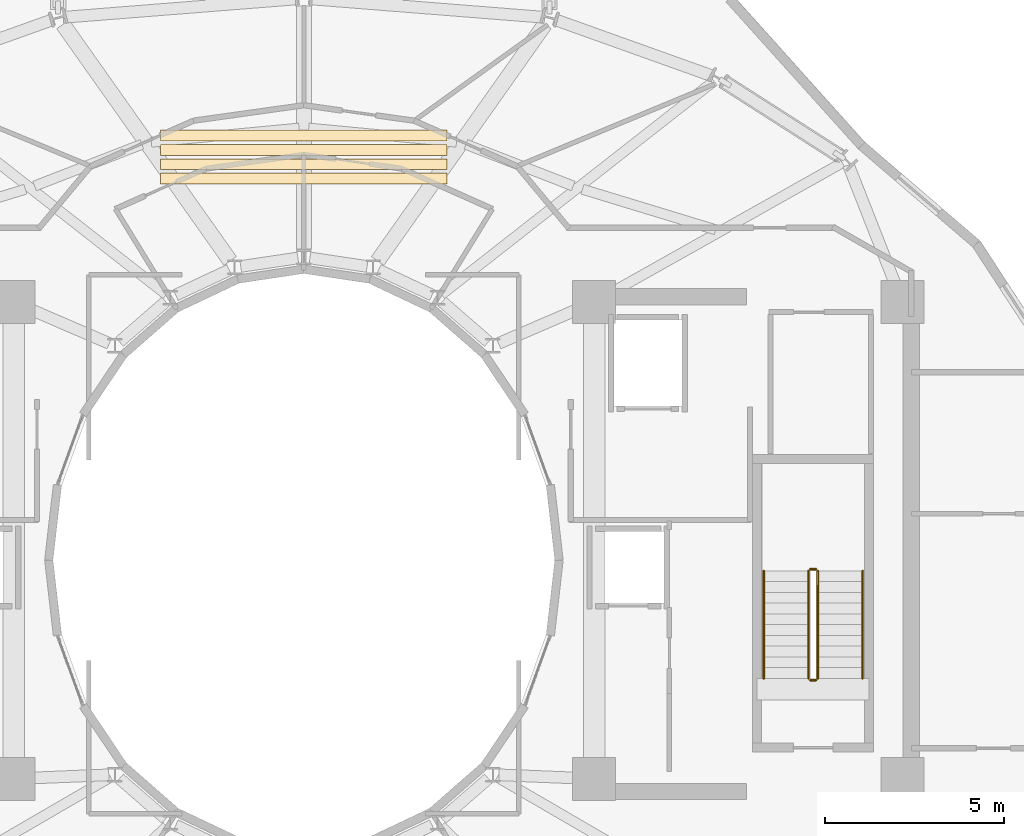
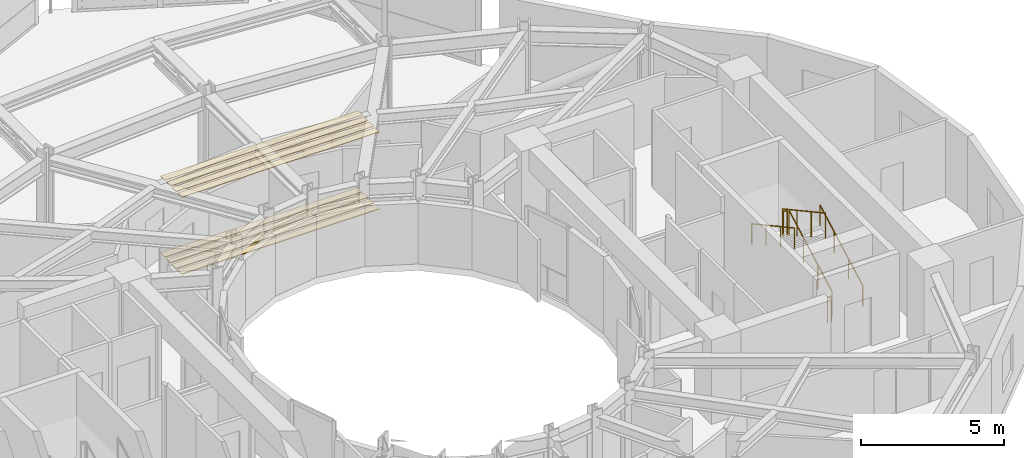
# One storey, part 23 of 24: 8 coverings, 6 railings.
"""IFC4 building model written with IfcOpenShell, lengths in metres."""

from ifc_helpers import new_model, si_unit, direction, frame, origin, origin_2d, place, context, subcontext, project, spatial, polyline, circle, outline, extrude, material, layer, layer_set, type_object, element, save


model = new_model("IFC4")

# Units and contexts
model_context = context("Model", 3, precision=1e-05, world=origin(), true_north=direction((0.0, 1.0)))
body_context = subcontext(model_context, "Body", "Model", "MODEL_VIEW")
ifc_project = project(units=[si_unit("LENGTHUNIT", "METRE"), si_unit("AREAUNIT", "SQUARE_METRE"), si_unit("VOLUMEUNIT", "CUBIC_METRE"), si_unit("PLANEANGLEUNIT", "RADIAN"), si_unit("MASSUNIT", "GRAM", prefix="KILO")], contexts=[model_context])

# Site, building, storey
site_placement = place(None, origin())
site = spatial("IfcSite", under=ifc_project, at=site_placement, CompositionType="ELEMENT")
building_placement = place(site_placement, origin())
building = spatial("IfcBuilding", under=site, at=building_placement, Name="Solvane Sanctuary Tower", CompositionType="ELEMENT")
storey_placement = place(building_placement, frame((0.0, 0.0, 253.199951171875)))
storey = spatial("IfcBuildingStorey", under=building, at=storey_placement, Name="L77", CompositionType="ELEMENT", Elevation=253.199951171875)

# Coverings
ifc_material_1 = material(Name="Acoustic Gypsum Partition Board")
ifc_layer_1 = layer(ifc_material_1, 0.02490234375, Name="Acoustic Gypsum Partition Board")
ifc_layer_set_1 = layer_set([ifc_layer_1], Name="Acoustic Gypsum Partition Board")
covering_type_1 = type_object("IfcCoveringType", Name="Covering CLG-ACOUST", PredefinedType="CEILING", material=ifc_layer_set_1)
covering_1_placement = place(storey_placement, frame((0.0, 0.0, 3.2900390625)))
element("IfcCovering", 1, at=covering_1_placement, inside=storey, type_object=covering_type_1, Name="L77 Sky Dining Acoustic Coffer 1", PredefinedType="CEILING", context=body_context, shape_type="SweptSolid", body=[
    extrude(outline(polyline([(28.0, 33.5), (36.0, 33.5), (36.0, 33.800048828125), (28.0, 33.800048828125), (28.0, 33.5)])), origin(), (0.0, 0.0, 1.0), 0.030029296875),
])
covering_2_placement = place(storey_placement, frame((0.0, 0.0, 3.2900390625)))
element("IfcCovering", 2, at=covering_2_placement, inside=storey, type_object=covering_type_1, Name="L77 Sky Dining Acoustic Coffer 2", PredefinedType="CEILING", context=body_context, shape_type="SweptSolid", body=[
    extrude(outline(polyline([(28.0, 33.89990234375), (36.0, 33.89990234375), (36.0, 34.199951171875), (28.0, 34.199951171875), (28.0, 33.89990234375)])), origin(), (0.0, 0.0, 1.0), 0.030029296875),
])
covering_3_placement = place(storey_placement, frame((0.0, 0.0, 3.2900390625)))
element("IfcCovering", 3, at=covering_3_placement, inside=storey, type_object=covering_type_1, Name="L77 Sky Dining Acoustic Coffer 3", PredefinedType="CEILING", context=body_context, shape_type="SweptSolid", body=[
    extrude(outline(polyline([(28.0, 34.300048828125), (36.0, 34.300048828125), (36.0, 34.60009765625), (28.0, 34.60009765625), (28.0, 34.300048828125)])), origin(), (0.0, 0.0, 1.0), 0.030029296875),
])
covering_4_placement = place(storey_placement, frame((0.0, 0.0, 3.2900390625)))
element("IfcCovering", 4, at=covering_4_placement, inside=storey, type_object=covering_type_1, Name="L77 Sky Dining Acoustic Coffer 4", PredefinedType="CEILING", context=body_context, shape_type="SweptSolid", body=[
    extrude(outline(polyline([(28.0, 34.699951171875), (36.0, 34.699951171875), (36.0, 35.0), (28.0, 35.0), (28.0, 34.699951171875)])), origin(), (0.0, 0.0, 1.0), 0.030029296875),
])
ifc_material_2 = material(Name="Ceramic Tile Finish")
ifc_layer_2 = layer(ifc_material_2, 0.030029296875, Name="Ceramic Tile Finish")
ifc_layer_set_2 = layer_set([ifc_layer_2], Name="Ceramic Tile Finish")
covering_type_2 = type_object("IfcCoveringType", Name="Covering FLR-TERRAZZO", PredefinedType="FLOORING", material=ifc_layer_set_2)
covering_5_placement = place(storey_placement, origin())
element("IfcCovering", 5, at=covering_5_placement, inside=storey, type_object=covering_type_2, Name="L77 Sky Dining Terrazzo Inlay 1", PredefinedType="FLOORING", context=body_context, shape_type="SweptSolid", body=[
    extrude(outline(polyline([(28.0, 33.5), (36.0, 33.5), (36.0, 33.800048828125), (28.0, 33.800048828125), (28.0, 33.5)])), origin(), (0.0, 0.0, 1.0), 0.03515625),
])
covering_6_placement = place(storey_placement, origin())
element("IfcCovering", 6, at=covering_6_placement, inside=storey, type_object=covering_type_2, Name="L77 Sky Dining Terrazzo Inlay 2", PredefinedType="FLOORING", context=body_context, shape_type="SweptSolid", body=[
    extrude(outline(polyline([(28.0, 33.89990234375), (36.0, 33.89990234375), (36.0, 34.199951171875), (28.0, 34.199951171875), (28.0, 33.89990234375)])), origin(), (0.0, 0.0, 1.0), 0.03515625),
])
covering_7_placement = place(storey_placement, origin())
element("IfcCovering", 7, at=covering_7_placement, inside=storey, type_object=covering_type_2, Name="L77 Sky Dining Terrazzo Inlay 3", PredefinedType="FLOORING", context=body_context, shape_type="SweptSolid", body=[
    extrude(outline(polyline([(28.0, 34.300048828125), (36.0, 34.300048828125), (36.0, 34.60009765625), (28.0, 34.60009765625), (28.0, 34.300048828125)])), origin(), (0.0, 0.0, 1.0), 0.03515625),
])
covering_8_placement = place(storey_placement, origin())
element("IfcCovering", 8, at=covering_8_placement, inside=storey, type_object=covering_type_2, Name="L77 Sky Dining Terrazzo Inlay 4", PredefinedType="FLOORING", context=body_context, shape_type="SweptSolid", body=[
    extrude(outline(polyline([(28.0, 34.699951171875), (36.0, 34.699951171875), (36.0, 35.0), (28.0, 35.0), (28.0, 34.699951171875)])), origin(), (0.0, 0.0, 1.0), 0.03515625),
])

# Railings
ifc_material_3 = material(Name="Architectural Stainless Steel 316", Category="steel")
railing_type_1 = type_object("IfcRailingType", Name="Railing GR-BALC-1150", PredefinedType="BALUSTRADE", material=ifc_material_3)
railing_1_placement = place(storey_placement, frame((46.340087890625, 19.699951171875, 0.16357421875)))
element("IfcRailing", 9, at=railing_1_placement, inside=storey, type_object=railing_type_1, Name="L77 ST-2 stair guard 1", PredefinedType="BALUSTRADE", context=body_context, shape_type="SweptSolid", body=[
    extrude(circle(Radius=0.02392578125, at=origin_2d()), frame((0.0, 0.0, 1.076171875), z_axis=(0.0, 0.877881921179, 0.478877158013), x_axis=(-1.0, 0.0, 0.0)), (0.0, 0.0, 1.0), 3.417236328125),
    extrude(circle(Radius=0.02099609375, at=origin_2d()), origin(), (0.0, 0.0, 1.0), 1.052001953125),
    extrude(circle(Radius=0.02099609375, at=origin_2d()), frame((0.0, 1.0, 0.54541015625)), (0.0, 0.0, 1.0), 1.052001953125),
    extrude(circle(Radius=0.02099609375, at=origin_2d()), frame((0.0, 2.0, 1.091064453125)), (0.0, 0.0, 1.0), 1.052001953125),
    extrude(circle(Radius=0.02099609375, at=origin_2d()), frame((0.0, 3.0, 1.636474609375)), (0.0, 0.0, 1.0), 1.052001953125),
])
railing_2_placement = place(storey_placement, frame((46.2900390625, 22.75, 1.800048828125)))
element("IfcRailing", 10, at=railing_2_placement, inside=storey, type_object=railing_type_1, Name="L77 ST-2 stair guard 2", PredefinedType="BALUSTRADE", context=body_context, shape_type="SweptSolid", body=[
    extrude(circle(Radius=0.02392578125, at=origin_2d()), frame((0.0, 0.0, 1.076171875), z_axis=(-1.0, 0.0, 0.0), x_axis=(0.0, -1.0, 0.0)), (0.0, 0.0, 1.0), 0.16015625),
    extrude(circle(Radius=0.02099609375, at=origin_2d()), origin(), (0.0, 0.0, 1.0), 1.052001953125),
    extrude(circle(Radius=0.02099609375, at=origin_2d()), frame((-0.16015625, 0.0, 0.0)), (0.0, 0.0, 1.0), 1.052001953125),
])
railing_3_placement = place(storey_placement, frame((46.080078125, 22.699951171875, 1.963623046875)))
element("IfcRailing", 11, at=railing_3_placement, inside=storey, type_object=railing_type_1, Name="L77 ST-2 stair guard 3", PredefinedType="BALUSTRADE", context=body_context, shape_type="SweptSolid", body=[
    extrude(circle(Radius=0.02392578125, at=origin_2d()), frame((0.0, 0.0, 1.076171875), z_axis=(0.0, -0.877881921179, 0.478877158013), x_axis=(1.0, 0.0, 0.0)), (0.0, 0.0, 1.0), 3.417236328125),
    extrude(circle(Radius=0.02099609375, at=origin_2d()), origin(), (0.0, 0.0, 1.0), 1.052001953125),
    extrude(circle(Radius=0.02099609375, at=origin_2d()), frame((0.0, -1.0, 0.54541015625)), (0.0, 0.0, 1.0), 1.052001953125),
    extrude(circle(Radius=0.02099609375, at=origin_2d()), frame((0.0, -2.0, 1.091064453125)), (0.0, 0.0, 1.0), 1.052001953125),
    extrude(circle(Radius=0.02099609375, at=origin_2d()), frame((0.0, -3.0, 1.636474609375)), (0.0, 0.0, 1.0), 1.052001953125),
])
railing_4_placement = place(storey_placement, frame((46.2900390625, 19.64990234375, 0.0)))
element("IfcRailing", 12, at=railing_4_placement, inside=storey, type_object=railing_type_1, Name="L77 ST-2 stair guard 4", PredefinedType="BALUSTRADE", context=body_context, shape_type="SweptSolid", body=[
    extrude(circle(Radius=0.02392578125, at=origin_2d()), frame((0.0, 0.0, 1.076171875), z_axis=(-1.0, 0.0, 0.0), x_axis=(0.0, -1.0, 0.0)), (0.0, 0.0, 1.0), 0.16015625),
    extrude(circle(Radius=0.02099609375, at=origin_2d()), origin(), (0.0, 0.0, 1.0), 1.052001953125),
    extrude(circle(Radius=0.02099609375, at=origin_2d()), frame((-0.16015625, 0.0, 0.0)), (0.0, 0.0, 1.0), 1.052001953125),
])
railing_type_2 = type_object("IfcRailingType", Name="Railing HR-STAIR-920", PredefinedType="HANDRAIL", material=ifc_material_3)
railing_5_placement = place(storey_placement, frame((47.590087890625, 19.699951171875, 0.16357421875)))
element("IfcRailing", 13, at=railing_5_placement, inside=storey, type_object=railing_type_2, Name="L77 ST-2 stair handrail 1", PredefinedType="HANDRAIL", context=body_context, shape_type="SweptSolid", body=[
    extrude(circle(Radius=0.02392578125, at=origin_2d()), frame((0.0, 0.0, 0.8759765625), z_axis=(0.0, 0.877881921179, 0.478877158013), x_axis=(-1.0, 0.0, 0.0)), (0.0, 0.0, 1.0), 3.417236328125),
    extrude(circle(Radius=0.02099609375, at=origin_2d()), origin(), (0.0, 0.0, 1.0), 0.851806640625),
    extrude(circle(Radius=0.02099609375, at=origin_2d()), frame((0.0, 1.0, 0.54541015625)), (0.0, 0.0, 1.0), 0.851806640625),
    extrude(circle(Radius=0.02099609375, at=origin_2d()), frame((0.0, 2.0, 1.091064453125)), (0.0, 0.0, 1.0), 0.851806640625),
    extrude(circle(Radius=0.02099609375, at=origin_2d()), frame((0.0, 3.0, 1.636474609375)), (0.0, 0.0, 1.0), 0.851806640625),
])
railing_6_placement = place(storey_placement, frame((44.830078125, 22.699951171875, 1.963623046875)))
element("IfcRailing", 14, at=railing_6_placement, inside=storey, type_object=railing_type_2, Name="L77 ST-2 stair handrail 2", PredefinedType="HANDRAIL", context=body_context, shape_type="SweptSolid", body=[
    extrude(circle(Radius=0.02392578125, at=origin_2d()), frame((0.0, 0.0, 0.8759765625), z_axis=(0.0, -0.877881921179, 0.478877158013), x_axis=(1.0, 0.0, 0.0)), (0.0, 0.0, 1.0), 3.417236328125),
    extrude(circle(Radius=0.02099609375, at=origin_2d()), origin(), (0.0, 0.0, 1.0), 0.851806640625),
    extrude(circle(Radius=0.02099609375, at=origin_2d()), frame((0.0, -1.0, 0.54541015625)), (0.0, 0.0, 1.0), 0.851806640625),
    extrude(circle(Radius=0.02099609375, at=origin_2d()), frame((0.0, -2.0, 1.091064453125)), (0.0, 0.0, 1.0), 0.851806640625),
    extrude(circle(Radius=0.02099609375, at=origin_2d()), frame((0.0, -3.0, 1.636474609375)), (0.0, 0.0, 1.0), 0.851806640625),
])

save(model, "model.ifc")
